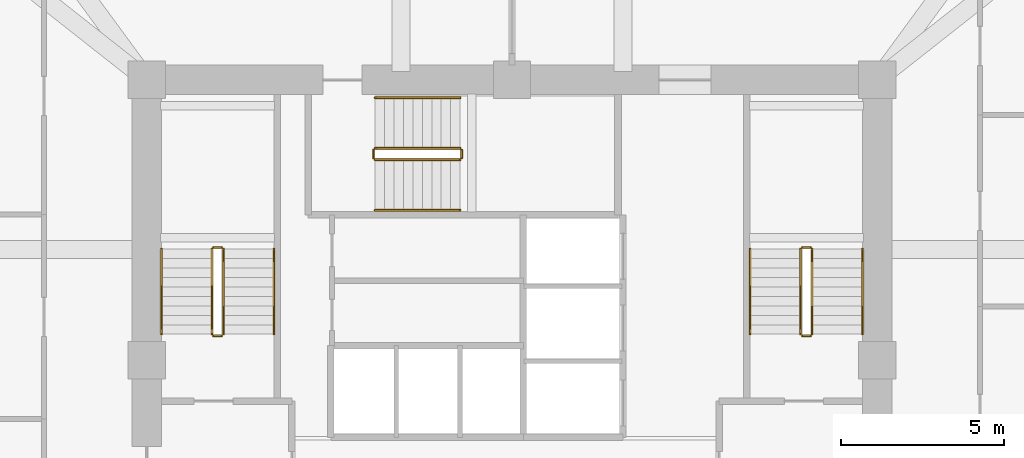
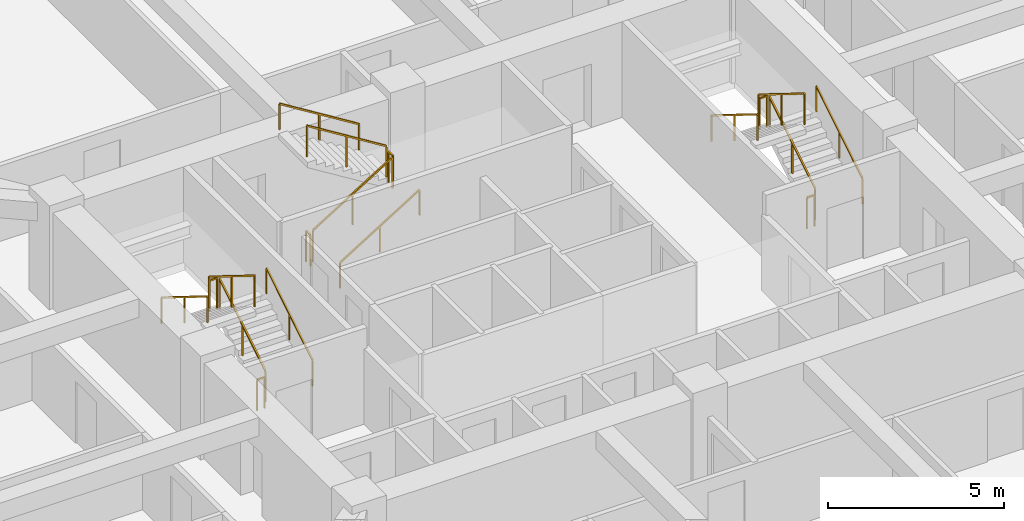
# One storey, part 13 of 13: 18 railings.
"""IFC4 building model written with IfcOpenShell, lengths in metres."""

from ifc_helpers import new_model, si_unit, derived_unit, direction, frame, origin, origin_2d, place, context, subcontext, project, spatial, rectangle, extrude, material, type_object, element, save


model = new_model("IFC4")

# Units and contexts
model_context = context("Model", 3, precision=1e-05, world=origin(), true_north=direction((0.0, 1.0)))
body_context = subcontext(model_context, "Body", "Model", "MODEL_VIEW")
ifc_project = project(units=[si_unit("LENGTHUNIT", "METRE"), si_unit("AREAUNIT", "SQUARE_METRE"), si_unit("VOLUMEUNIT", "CUBIC_METRE"), si_unit("PLANEANGLEUNIT", "RADIAN"), si_unit("MASSUNIT", "GRAM", prefix="KILO"), derived_unit("THERMALTRANSMITTANCEUNIT", [(si_unit("POWERUNIT", "WATT"), 1), (si_unit("LENGTHUNIT", "METRE"), -2), (si_unit("THERMODYNAMICTEMPERATUREUNIT", "KELVIN"), -1)])], contexts=[model_context])

# Site, building, storey
site_placement = place(None, origin())
site = spatial("IfcSite", under=ifc_project, at=site_placement, CompositionType="ELEMENT")
building_placement = place(site_placement, origin())
building = spatial("IfcBuilding", under=site, at=building_placement, Name="Koralith Skygarden Medical Center", CompositionType="ELEMENT")
storey_placement = place(building_placement, frame((0.0, 0.0, 63.5400390625)))
storey = spatial("IfcBuildingStorey", under=building, at=storey_placement, Name="L16", CompositionType="ELEMENT", Elevation=63.5400390625)

# Railings
ifc_material = material(Name="Steel ASTM A500 Grade C", Category="steel")
railing_type_1 = type_object("IfcRailingType", Name="Stair Flight Tubular Handrail 920", PredefinedType="HANDRAIL", material=ifc_material)
railing_1_placement = place(storey_placement, frame((29.699951171875, 26.699951171875, 0.179931640625)))
element("IfcRailing", 1, at=railing_1_placement, inside=storey, type_object=railing_type_1, Name="L16 ST1 stair handrail 1", PredefinedType="HANDRAIL", context=body_context, shape_type="SweptSolid", body=[
    extrude(rectangle(XDim=0.050048828125, YDim=0.050048828125, at=origin_2d()), frame((0.0, 0.001708984375, 0.89599609375), z_axis=(0.0, 0.849632798774, 0.527374731332), x_axis=(-1.0, 0.0, 0.0)), (0.0, 0.0, 1.0), 3.068115234375),
    extrude(rectangle(XDim=0.0419921875, YDim=0.0419921875, at=origin_2d()), origin(), (0.0, 0.0, 1.0), 0.867919921875),
    extrude(rectangle(XDim=0.0419921875, YDim=0.0419921875, at=origin_2d()), frame((0.0, 1.30517578125, 0.81005859375)), (0.0, 0.0, 1.0), 0.867919921875),
    extrude(rectangle(XDim=0.0419921875, YDim=0.0419921875, at=origin_2d()), frame((0.0, 2.610107421875, 1.6201171875)), (0.0, 0.0, 1.0), 0.867919921875),
])
railing_2_placement = place(storey_placement, frame((26.25, 29.31005859375, 1.97998046875)))
element("IfcRailing", 2, at=railing_2_placement, inside=storey, type_object=railing_type_1, Name="L16 ST1 stair handrail 2", PredefinedType="HANDRAIL", context=body_context, shape_type="SweptSolid", body=[
    extrude(rectangle(XDim=0.050048828125, YDim=0.050048828125, at=origin_2d()), frame((0.0, -0.001708984375, 0.89599609375), z_axis=(0.0, -0.849668407637, 0.527317358963), x_axis=(1.0, 0.0, 0.0)), (0.0, 0.0, 1.0), 3.06787109375),
    extrude(rectangle(XDim=0.0419921875, YDim=0.0419921875, at=origin_2d()), origin(), (0.0, 0.0, 1.0), 0.867919921875),
    extrude(rectangle(XDim=0.0419921875, YDim=0.0419921875, at=origin_2d()), frame((0.0, -1.30517578125, 0.81005859375)), (0.0, 0.0, 1.0), 0.867919921875),
    extrude(rectangle(XDim=0.0419921875, YDim=0.0419921875, at=origin_2d()), frame((0.0, -2.610107421875, 1.619873046875)), (0.0, 0.0, 1.0), 0.867919921875),
])
railing_3_placement = place(storey_placement, frame((47.75, 26.699951171875, 0.179931640625)))
element("IfcRailing", 3, at=railing_3_placement, inside=storey, type_object=railing_type_1, Name="L16 ST2 stair handrail 1", PredefinedType="HANDRAIL", context=body_context, shape_type="SweptSolid", body=[
    extrude(rectangle(XDim=0.050048828125, YDim=0.050048828125, at=origin_2d()), frame((0.0, 0.001708984375, 0.89599609375), z_axis=(0.0, 0.849632798774, 0.527374731332), x_axis=(-1.0, 0.0, 0.0)), (0.0, 0.0, 1.0), 3.068115234375),
    extrude(rectangle(XDim=0.0419921875, YDim=0.0419921875, at=origin_2d()), origin(), (0.0, 0.0, 1.0), 0.867919921875),
    extrude(rectangle(XDim=0.0419921875, YDim=0.0419921875, at=origin_2d()), frame((0.0, 1.30517578125, 0.81005859375)), (0.0, 0.0, 1.0), 0.867919921875),
    extrude(rectangle(XDim=0.0419921875, YDim=0.0419921875, at=origin_2d()), frame((0.0, 2.610107421875, 1.6201171875)), (0.0, 0.0, 1.0), 0.867919921875),
])
railing_4_placement = place(storey_placement, frame((44.300048828125, 29.31005859375, 1.97998046875)))
element("IfcRailing", 4, at=railing_4_placement, inside=storey, type_object=railing_type_1, Name="L16 ST2 stair handrail 2", PredefinedType="HANDRAIL", context=body_context, shape_type="SweptSolid", body=[
    extrude(rectangle(XDim=0.050048828125, YDim=0.050048828125, at=origin_2d()), frame((0.0, -0.001708984375, 0.89599609375), z_axis=(0.0, -0.849668407637, 0.527317358963), x_axis=(1.0, 0.0, 0.0)), (0.0, 0.0, 1.0), 3.06787109375),
    extrude(rectangle(XDim=0.0419921875, YDim=0.0419921875, at=origin_2d()), origin(), (0.0, 0.0, 1.0), 0.867919921875),
    extrude(rectangle(XDim=0.0419921875, YDim=0.0419921875, at=origin_2d()), frame((0.0, -1.30517578125, 0.81005859375)), (0.0, 0.0, 1.0), 0.867919921875),
    extrude(rectangle(XDim=0.0419921875, YDim=0.0419921875, at=origin_2d()), frame((0.0, -2.610107421875, 1.619873046875)), (0.0, 0.0, 1.0), 0.867919921875),
])
railing_5_placement = place(storey_placement, frame((32.800048828125, 30.5, 0.179931640625)))
element("IfcRailing", 5, at=railing_5_placement, inside=storey, type_object=railing_type_1, Name="L16 ST3 stair handrail 1", PredefinedType="HANDRAIL", context=body_context, shape_type="SweptSolid", body=[
    extrude(rectangle(XDim=0.050048828125, YDim=0.050048828125, at=origin_2d()), frame((0.001708984375, 0.0, 0.89599609375), z_axis=(0.849610693518, 0.0, 0.52741034258), x_axis=(0.0, 1.0, 0.0)), (0.0, 0.0, 1.0), 3.06787109375),
    extrude(rectangle(XDim=0.0419921875, YDim=0.0419921875, at=origin_2d()), origin(), (0.0, 0.0, 1.0), 0.867919921875),
    extrude(rectangle(XDim=0.0419921875, YDim=0.0419921875, at=origin_2d()), frame((1.304931640625, 0.0, 0.81005859375)), (0.0, 0.0, 1.0), 0.867919921875),
    extrude(rectangle(XDim=0.0419921875, YDim=0.0419921875, at=origin_2d()), frame((2.60986328125, 0.0, 1.6201171875)), (0.0, 0.0, 1.0), 0.867919921875),
])
railing_6_placement = place(storey_placement, frame((35.409912109375, 33.949951171875, 1.97998046875)))
element("IfcRailing", 6, at=railing_6_placement, inside=storey, type_object=railing_type_1, Name="L16 ST3 stair handrail 2", PredefinedType="HANDRAIL", context=body_context, shape_type="SweptSolid", body=[
    extrude(rectangle(XDim=0.050048828125, YDim=0.050048828125, at=origin_2d()), frame((-0.001708984375, 0.0, 0.89599609375), z_axis=(-0.849646306263, 0.0, 0.527352969322), x_axis=(0.0, -1.0, 0.0)), (0.0, 0.0, 1.0), 3.067626953125),
    extrude(rectangle(XDim=0.0419921875, YDim=0.0419921875, at=origin_2d()), origin(), (0.0, 0.0, 1.0), 0.867919921875),
    extrude(rectangle(XDim=0.0419921875, YDim=0.0419921875, at=origin_2d()), frame((-1.304931640625, 0.0, 0.81005859375)), (0.0, 0.0, 1.0), 0.867919921875),
    extrude(rectangle(XDim=0.0419921875, YDim=0.0419921875, at=origin_2d()), frame((-2.60986328125, 0.0, 1.619873046875)), (0.0, 0.0, 1.0), 0.867919921875),
])
railing_type_2 = type_object("IfcRailingType", Name="Stair Well Safety Guardrail 1100", PredefinedType="GUARDRAIL", material=ifc_material)
railing_7_placement = place(storey_placement, frame((28.14990234375, 26.699951171875, 0.179931640625)))
element("IfcRailing", 7, at=railing_7_placement, inside=storey, type_object=railing_type_2, Name="L16 ST1 stair guard 1", PredefinedType="GUARDRAIL", context=body_context, shape_type="SweptSolid", body=[
    extrude(rectangle(XDim=0.050048828125, YDim=0.050048828125, at=origin_2d()), frame((0.0, 0.001708984375, 1.076171875), z_axis=(0.0, 0.849632798774, 0.527374731332), x_axis=(-1.0, 0.0, 0.0)), (0.0, 0.0, 1.0), 3.068115234375),
    extrude(rectangle(XDim=0.0419921875, YDim=0.0419921875, at=origin_2d()), origin(), (0.0, 0.0, 1.0), 1.048095703125),
    extrude(rectangle(XDim=0.0419921875, YDim=0.0419921875, at=origin_2d()), frame((0.0, 1.30517578125, 0.81005859375)), (0.0, 0.0, 1.0), 1.048095703125),
    extrude(rectangle(XDim=0.0419921875, YDim=0.0419921875, at=origin_2d()), frame((0.0, 2.610107421875, 1.6201171875)), (0.0, 0.0, 1.0), 1.048095703125),
])
railing_8_placement = place(storey_placement, frame((28.10009765625, 29.360107421875, 1.800048828125)))
element("IfcRailing", 8, at=railing_8_placement, inside=storey, type_object=railing_type_2, Name="L16 ST1 stair guard 2", PredefinedType="GUARDRAIL", context=body_context, shape_type="SweptSolid", body=[
    extrude(rectangle(XDim=0.050048828125, YDim=0.050048828125, at=origin_2d()), frame((-0.001953125, 0.0, 1.0751953125), z_axis=(-1.0, 0.0, 0.0), x_axis=(0.0, -1.0, 0.0)), (0.0, 0.0, 1.0), 0.24609375),
    extrude(rectangle(XDim=0.0419921875, YDim=0.0419921875, at=origin_2d()), origin(), (0.0, 0.0, 1.0), 1.048095703125),
    extrude(rectangle(XDim=0.0419921875, YDim=0.0419921875, at=origin_2d()), frame((-0.25, 0.0, 0.0)), (0.0, 0.0, 1.0), 1.048095703125),
])
railing_9_placement = place(storey_placement, frame((27.800048828125, 29.31005859375, 1.97998046875)))
element("IfcRailing", 9, at=railing_9_placement, inside=storey, type_object=railing_type_2, Name="L16 ST1 stair guard 3", PredefinedType="GUARDRAIL", context=body_context, shape_type="SweptSolid", body=[
    extrude(rectangle(XDim=0.050048828125, YDim=0.050048828125, at=origin_2d()), frame((0.0, -0.001708984375, 1.076171875), z_axis=(0.0, -0.849668407637, 0.527317358963), x_axis=(1.0, 0.0, 0.0)), (0.0, 0.0, 1.0), 3.06787109375),
    extrude(rectangle(XDim=0.0419921875, YDim=0.0419921875, at=origin_2d()), origin(), (0.0, 0.0, 1.0), 1.048095703125),
    extrude(rectangle(XDim=0.0419921875, YDim=0.0419921875, at=origin_2d()), frame((0.0, -1.30517578125, 0.81005859375)), (0.0, 0.0, 1.0), 1.048095703125),
    extrude(rectangle(XDim=0.0419921875, YDim=0.0419921875, at=origin_2d()), frame((0.0, -2.610107421875, 1.619873046875)), (0.0, 0.0, 1.0), 1.048095703125),
])
railing_10_placement = place(storey_placement, frame((28.10009765625, 26.64990234375, 0.0)))
element("IfcRailing", 10, at=railing_10_placement, inside=storey, type_object=railing_type_2, Name="L16 ST1 stair guard 4", PredefinedType="GUARDRAIL", context=body_context, shape_type="SweptSolid", body=[
    extrude(rectangle(XDim=0.050048828125, YDim=0.050048828125, at=origin_2d()), frame((-0.001953125, 0.0, 1.0751953125), z_axis=(-1.0, 0.0, 0.0), x_axis=(0.0, -1.0, 0.0)), (0.0, 0.0, 1.0), 0.24609375),
    extrude(rectangle(XDim=0.0419921875, YDim=0.0419921875, at=origin_2d()), origin(), (0.0, 0.0, 1.0), 1.048095703125),
    extrude(rectangle(XDim=0.0419921875, YDim=0.0419921875, at=origin_2d()), frame((-0.25, 0.0, 0.0)), (0.0, 0.0, 1.0), 1.048095703125),
])
railing_11_placement = place(storey_placement, frame((46.199951171875, 26.699951171875, 0.179931640625)))
element("IfcRailing", 11, at=railing_11_placement, inside=storey, type_object=railing_type_2, Name="L16 ST2 stair guard 1", PredefinedType="GUARDRAIL", context=body_context, shape_type="SweptSolid", body=[
    extrude(rectangle(XDim=0.050048828125, YDim=0.050048828125, at=origin_2d()), frame((0.0, 0.001708984375, 1.076171875), z_axis=(0.0, 0.849632798774, 0.527374731332), x_axis=(-1.0, 0.0, 0.0)), (0.0, 0.0, 1.0), 3.068115234375),
    extrude(rectangle(XDim=0.0419921875, YDim=0.0419921875, at=origin_2d()), origin(), (0.0, 0.0, 1.0), 1.048095703125),
    extrude(rectangle(XDim=0.0419921875, YDim=0.0419921875, at=origin_2d()), frame((0.0, 1.30517578125, 0.81005859375)), (0.0, 0.0, 1.0), 1.048095703125),
    extrude(rectangle(XDim=0.0419921875, YDim=0.0419921875, at=origin_2d()), frame((0.0, 2.610107421875, 1.6201171875)), (0.0, 0.0, 1.0), 1.048095703125),
])
railing_12_placement = place(storey_placement, frame((46.14990234375, 29.360107421875, 1.800048828125)))
element("IfcRailing", 12, at=railing_12_placement, inside=storey, type_object=railing_type_2, Name="L16 ST2 stair guard 2", PredefinedType="GUARDRAIL", context=body_context, shape_type="SweptSolid", body=[
    extrude(rectangle(XDim=0.050048828125, YDim=0.050048828125, at=origin_2d()), frame((-0.001953125, 0.0, 1.0751953125), z_axis=(-1.0, 0.0, 0.0), x_axis=(0.0, -1.0, 0.0)), (0.0, 0.0, 1.0), 0.24609375),
    extrude(rectangle(XDim=0.0419921875, YDim=0.0419921875, at=origin_2d()), origin(), (0.0, 0.0, 1.0), 1.048095703125),
    extrude(rectangle(XDim=0.0419921875, YDim=0.0419921875, at=origin_2d()), frame((-0.25, 0.0, 0.0)), (0.0, 0.0, 1.0), 1.048095703125),
])
railing_13_placement = place(storey_placement, frame((45.85009765625, 29.31005859375, 1.97998046875)))
element("IfcRailing", 13, at=railing_13_placement, inside=storey, type_object=railing_type_2, Name="L16 ST2 stair guard 3", PredefinedType="GUARDRAIL", context=body_context, shape_type="SweptSolid", body=[
    extrude(rectangle(XDim=0.050048828125, YDim=0.050048828125, at=origin_2d()), frame((0.0, -0.001708984375, 1.076171875), z_axis=(0.0, -0.849668407637, 0.527317358963), x_axis=(1.0, 0.0, 0.0)), (0.0, 0.0, 1.0), 3.06787109375),
    extrude(rectangle(XDim=0.0419921875, YDim=0.0419921875, at=origin_2d()), origin(), (0.0, 0.0, 1.0), 1.048095703125),
    extrude(rectangle(XDim=0.0419921875, YDim=0.0419921875, at=origin_2d()), frame((0.0, -1.30517578125, 0.81005859375)), (0.0, 0.0, 1.0), 1.048095703125),
    extrude(rectangle(XDim=0.0419921875, YDim=0.0419921875, at=origin_2d()), frame((0.0, -2.610107421875, 1.619873046875)), (0.0, 0.0, 1.0), 1.048095703125),
])
railing_14_placement = place(storey_placement, frame((46.14990234375, 26.64990234375, 0.0)))
element("IfcRailing", 14, at=railing_14_placement, inside=storey, type_object=railing_type_2, Name="L16 ST2 stair guard 4", PredefinedType="GUARDRAIL", context=body_context, shape_type="SweptSolid", body=[
    extrude(rectangle(XDim=0.050048828125, YDim=0.050048828125, at=origin_2d()), frame((-0.001953125, 0.0, 1.0751953125), z_axis=(-1.0, 0.0, 0.0), x_axis=(0.0, -1.0, 0.0)), (0.0, 0.0, 1.0), 0.24609375),
    extrude(rectangle(XDim=0.0419921875, YDim=0.0419921875, at=origin_2d()), origin(), (0.0, 0.0, 1.0), 1.048095703125),
    extrude(rectangle(XDim=0.0419921875, YDim=0.0419921875, at=origin_2d()), frame((-0.25, 0.0, 0.0)), (0.0, 0.0, 1.0), 1.048095703125),
])
railing_15_placement = place(storey_placement, frame((32.800048828125, 32.050048828125, 0.179931640625)))
element("IfcRailing", 15, at=railing_15_placement, inside=storey, type_object=railing_type_2, Name="L16 ST3 stair guard 1", PredefinedType="GUARDRAIL", context=body_context, shape_type="SweptSolid", body=[
    extrude(rectangle(XDim=0.050048828125, YDim=0.050048828125, at=origin_2d()), frame((0.001708984375, 0.0, 1.076171875), z_axis=(0.849610693518, 0.0, 0.52741034258), x_axis=(0.0, 1.0, 0.0)), (0.0, 0.0, 1.0), 3.06787109375),
    extrude(rectangle(XDim=0.0419921875, YDim=0.0419921875, at=origin_2d()), origin(), (0.0, 0.0, 1.0), 1.048095703125),
    extrude(rectangle(XDim=0.0419921875, YDim=0.0419921875, at=origin_2d()), frame((1.304931640625, 0.0, 0.81005859375)), (0.0, 0.0, 1.0), 1.048095703125),
    extrude(rectangle(XDim=0.0419921875, YDim=0.0419921875, at=origin_2d()), frame((2.60986328125, 0.0, 1.6201171875)), (0.0, 0.0, 1.0), 1.048095703125),
])
railing_16_placement = place(storey_placement, frame((35.4599609375, 32.10009765625, 1.800048828125)))
element("IfcRailing", 16, at=railing_16_placement, inside=storey, type_object=railing_type_2, Name="L16 ST3 stair guard 2", PredefinedType="GUARDRAIL", context=body_context, shape_type="SweptSolid", body=[
    extrude(rectangle(XDim=0.050048828125, YDim=0.050048828125, at=origin_2d()), frame((0.0, 0.001953125, 1.0751953125), z_axis=(0.0, 1.0, 0.0), x_axis=(-1.0, 0.0, 0.0)), (0.0, 0.0, 1.0), 0.24609375),
    extrude(rectangle(XDim=0.0419921875, YDim=0.0419921875, at=origin_2d()), origin(), (0.0, 0.0, 1.0), 1.048095703125),
    extrude(rectangle(XDim=0.0419921875, YDim=0.0419921875, at=origin_2d()), frame((0.0, 0.25, 0.0)), (0.0, 0.0, 1.0), 1.048095703125),
])
railing_17_placement = place(storey_placement, frame((35.409912109375, 32.39990234375, 1.97998046875)))
element("IfcRailing", 17, at=railing_17_placement, inside=storey, type_object=railing_type_2, Name="L16 ST3 stair guard 3", PredefinedType="GUARDRAIL", context=body_context, shape_type="SweptSolid", body=[
    extrude(rectangle(XDim=0.050048828125, YDim=0.050048828125, at=origin_2d()), frame((-0.001708984375, 0.0, 1.076171875), z_axis=(-0.849646306263, 0.0, 0.527352969322), x_axis=(0.0, -1.0, 0.0)), (0.0, 0.0, 1.0), 3.067626953125),
    extrude(rectangle(XDim=0.0419921875, YDim=0.0419921875, at=origin_2d()), origin(), (0.0, 0.0, 1.0), 1.048095703125),
    extrude(rectangle(XDim=0.0419921875, YDim=0.0419921875, at=origin_2d()), frame((-1.304931640625, 0.0, 0.81005859375)), (0.0, 0.0, 1.0), 1.048095703125),
    extrude(rectangle(XDim=0.0419921875, YDim=0.0419921875, at=origin_2d()), frame((-2.60986328125, 0.0, 1.619873046875)), (0.0, 0.0, 1.0), 1.048095703125),
])
railing_18_placement = place(storey_placement, frame((32.75, 32.10009765625, 0.0)))
element("IfcRailing", 18, at=railing_18_placement, inside=storey, type_object=railing_type_2, Name="L16 ST3 stair guard 4", PredefinedType="GUARDRAIL", context=body_context, shape_type="SweptSolid", body=[
    extrude(rectangle(XDim=0.050048828125, YDim=0.050048828125, at=origin_2d()), frame((0.0, 0.001953125, 1.0751953125), z_axis=(0.0, 1.0, 0.0), x_axis=(-1.0, 0.0, 0.0)), (0.0, 0.0, 1.0), 0.24609375),
    extrude(rectangle(XDim=0.0419921875, YDim=0.0419921875, at=origin_2d()), origin(), (0.0, 0.0, 1.0), 1.048095703125),
    extrude(rectangle(XDim=0.0419921875, YDim=0.0419921875, at=origin_2d()), frame((0.0, 0.25, 0.0)), (0.0, 0.0, 1.0), 1.048095703125),
])

save(model, "model.ifc")
